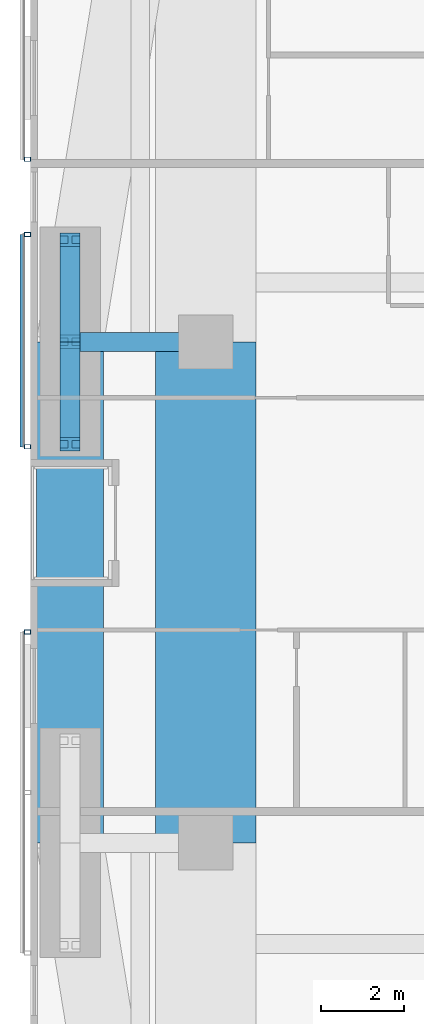
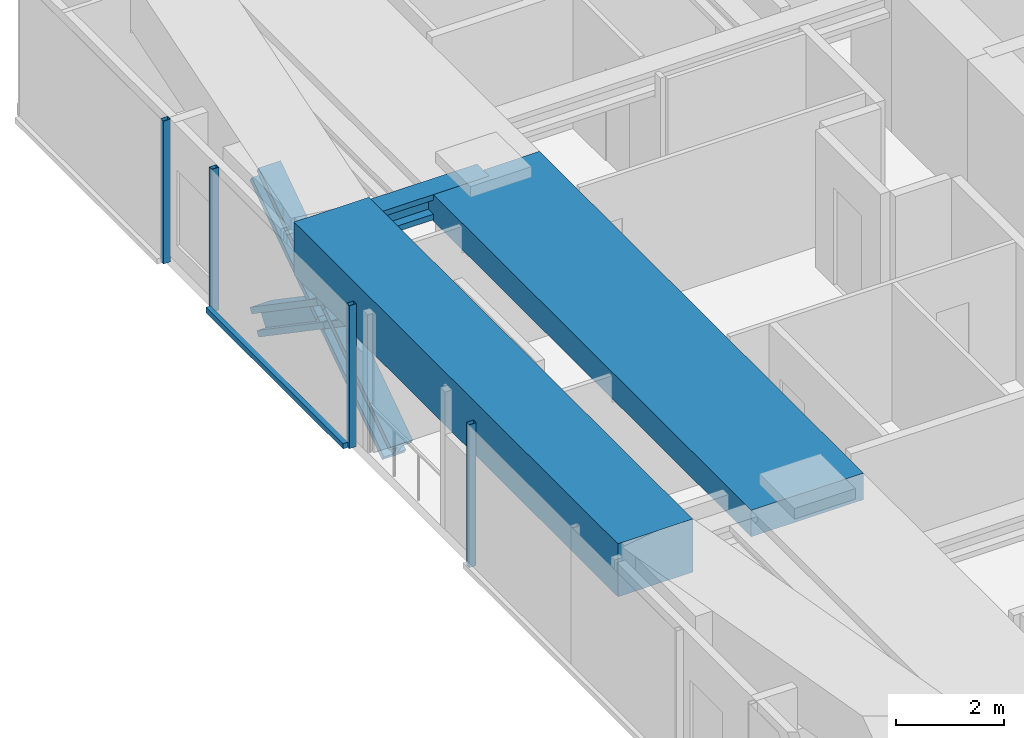
# One storey, part 7 of 25: 9 members, 3 beams, 3 elements without a shape of their own.
"""IFC4 building model written with IfcOpenShell, lengths in metres."""

from ifc_helpers import new_model, si_unit, direction, frame, origin, origin_2d, place, context, subcontext, project, spatial, rectangle, hollow_rectangle, i_section, extrude, material, material_profile, profile_set, type_object, element, aggregate, save


model = new_model("IFC4")

# Units and contexts
model_context = context("Model", 3, precision=1e-05, world=origin(), true_north=direction((0.0, 1.0)))
body_context = subcontext(model_context, "Body", "Model", "MODEL_VIEW")
ifc_project = project(units=[si_unit("LENGTHUNIT", "METRE"), si_unit("AREAUNIT", "SQUARE_METRE"), si_unit("VOLUMEUNIT", "CUBIC_METRE"), si_unit("PLANEANGLEUNIT", "RADIAN"), si_unit("MASSUNIT", "GRAM", prefix="KILO")], contexts=[model_context])

# Site, building, storey
site_placement = place(None, origin())
site = spatial("IfcSite", under=ifc_project, at=site_placement, CompositionType="ELEMENT")
building_placement = place(site_placement, origin())
building = spatial("IfcBuilding", under=site, at=building_placement, Name="Jalousie Tower", CompositionType="ELEMENT")
storey_placement = place(building_placement, frame((0.0, 0.0, 94.800048828125)))
storey = spatial("IfcBuildingStorey", under=building, at=storey_placement, Name="L25", CompositionType="ELEMENT", Elevation=94.800048828125)

# Beam
ifc_material_1 = material(Name="Steel ASTM A992 Grade 50", Category="steel")
ifc_material_profile_1 = material_profile(ifc_material_1, i_section(OverallWidth=0.45458984375, OverallDepth=0.569091796875, WebThickness=0.077880859375, FlangeThickness=0.124755859375, at=origin_2d()), Name="W14X730")
ifc_profile_set_1 = profile_set([ifc_material_profile_1], Name="Steel ASTM A992 Grade 50")
beam_type_1 = type_object("IfcBeamType", Name="LEAN COLLECTOR W14X730", PredefinedType="BEAM", material=ifc_profile_set_1)
beam_1_placement = place(storey_placement, frame((6.949951171875, 25.0, 2.825439453125), z_axis=(1.0, 0.0, 0.0), x_axis=(0.0, 1.0, 0.0)))
element("IfcBeam", 1, at=beam_1_placement, inside=storey, type_object=beam_type_1, Name="Lean collector under L26", PredefinedType="BEAM", context=body_context, shape_type="SweptSolid", body=[
    extrude(i_section(OverallWidth=0.45458984375, OverallDepth=0.569091796875, WebThickness=0.077880859375, FlangeThickness=0.124755859375, at=origin_2d()), origin(), (0.0, 0.0, 1.0), 3.25),
])

# Members
ifc_material_2 = material(Name="Steel ASTM A992 Grade 50", Category="steel")
ifc_material_profile_2 = material_profile(ifc_material_2, i_section(OverallWidth=0.472412109375, OverallDepth=0.5791015625, WebThickness=0.094970703125, FlangeThickness=0.1298828125, at=origin_2d()), Name="W14X808")
ifc_profile_set_2 = profile_set([ifc_material_profile_2], Name="Steel ASTM A992 Grade 50")
member_type_1 = type_object("IfcMemberType", Name="PERIMETER BRACE W14X808", PredefinedType="BRACE", material=ifc_profile_set_2)
for number, where, z_axis, x_axis, name in (
    (2, (6.949951171875, 22.550048828125, -0.60009765625), (0.0, 0.825500916831, 0.564400776321), (-1.0, 0.0, 0.0), "Perimeter brace 13 L25 part 1"),
    (3, (6.949951171875, 25.0, 1.074951171875), (0.0, 0.825500916831, 0.564400776321), (-1.0, 0.0, 0.0), "Perimeter brace 13 L25 part 2"),
    (4, (6.949951171875, 27.449951171875, -0.60009765625), (0.0, -0.825500916831, 0.564400776321), (1.0, 0.0, 0.0), "Perimeter brace 13 L25 part 3"),
    (5, (6.949951171875, 25.0, 1.074951171875), (0.0, -0.825500916831, 0.564400776321), (1.0, 0.0, 0.0), "Perimeter brace 13 L25 part 4"),
):
    element("IfcMember", number, at=place(storey_placement, frame(where, z_axis=z_axis, x_axis=x_axis)), inside=storey, type_object=member_type_1, Name=name, PredefinedType="BRACE", context=body_context, shape_type="SweptSolid", body=[
        extrude(i_section(OverallWidth=0.472412109375, OverallDepth=0.5791015625, WebThickness=0.094970703125, FlangeThickness=0.1298828125, at=origin_2d()), origin(), (0.0, 0.0, 1.0), 2.9677734375),
    ])

# Beams
ifc_material_3 = material(Name="Concrete f'c 40 MPa", Category="concrete")
ifc_material_profile_3 = material_profile(ifc_material_3, rectangle(XDim=1.60009765625, YDim=1.199951171875, at=origin_2d()), Name="RC 1600x1200")
ifc_profile_set_3 = profile_set([ifc_material_profile_3], Name="Concrete f'c 40 MPa")
beam_type_2 = type_object("IfcBeamType", Name="RC BEAM 1600x1200", PredefinedType="BEAM", material=ifc_profile_set_3)
beam_2_placement = place(storey_placement, frame((6.949951171875, 25.0, 2.75), z_axis=(0.0, -1.0, 0.0), x_axis=(1.0, 0.0, 0.0)))
element("IfcBeam", 6, at=beam_2_placement, inside=storey, type_object=beam_type_2, Name="Edge band beam 13-14 under L26", PredefinedType="BEAM", context=body_context, shape_type="SweptSolid", body=[
    extrude(rectangle(XDim=1.60009765625, YDim=1.199951171875, at=origin_2d()), origin(), (0.0, 0.0, 1.0), 12.0),
])
ifc_material_4 = material(Name="Concrete f'c 40 MPa", Category="concrete")
ifc_material_profile_4 = material_profile(ifc_material_4, rectangle(XDim=2.39990234375, YDim=0.60009765625, at=origin_2d()), Name="RC 2400x600")
ifc_profile_set_4 = profile_set([ifc_material_profile_4], Name="Concrete f'c 40 MPa")
beam_type_3 = type_object("IfcBeamType", Name="RC BEAM 2400x600", PredefinedType="BEAM", material=ifc_profile_set_4)
beam_3_placement = place(storey_placement, frame((10.199951171875, 13.0, 2.81005859375), z_axis=(0.0, 1.0, 0.0), x_axis=(-1.0, 0.0, 0.0)))
element("IfcBeam", 7, at=beam_3_placement, inside=storey, type_object=beam_type_3, Name="Floor band beam under L26", PredefinedType="BEAM", context=body_context, shape_type="SweptSolid", body=[
    extrude(rectangle(XDim=2.39990234375, YDim=0.60009765625, at=origin_2d()), origin(), (0.0, 0.0, 1.0), 12.0),
])

# Curtain wall, member
ifc_material_5 = material(Name="Perforated aluminium sheet", Category="aluminium")
curtain_wall_type = type_object("IfcCurtainWallType", Name="SOLAR SCREEN SS-1", PredefinedType="USERDEFINED", material=ifc_material_5)
curtain_wall_1_placement = place(storey_placement, origin())
curtain_wall_1 = element("IfcCurtainWall", 8, at=curtain_wall_1_placement, inside=storey, type_object=curtain_wall_type, Name="Solar screen L25", ObjectType="SOLAR SCREEN SS-1", PredefinedType="USERDEFINED")
ifc_material_6 = material(Name="Steel ASTM A500 Grade C", Category="steel")
ifc_material_profile_5 = material_profile(ifc_material_6, hollow_rectangle(XDim=0.1015625, YDim=0.15234375, WallThickness=0.00634765625, at=origin_2d()), Name="HSS6X4X1/4")
ifc_profile_set_5 = profile_set([ifc_material_profile_5], Name="Steel ASTM A500 Grade C")
member_type_2 = type_object("IfcMemberType", Name="SOLAR SCREEN SS-1 MULLION", PredefinedType="MULLION", material=ifc_profile_set_5)
member_1_placement = place(storey_placement, frame((5.9287109375, 29.375, -0.1201171875), z_axis=(0.0, 0.0, 1.0), x_axis=(0.0, -1.0, 0.0)))
member_1 = element("IfcMember", 9, at=member_1_placement, type_object=member_type_2, Name="SS1 post 2", PredefinedType="MULLION", context=body_context, shape_type="SweptSolid", body=[
    extrude(hollow_rectangle(XDim=0.1015625, YDim=0.15234375, WallThickness=0.00634765625, at=origin_2d()), origin(), (0.0, 0.0, 1.0), 3.22998046875),
])
aggregate(curtain_wall_1, [member_1])

# Curtain wall, members
curtain_wall_2_placement = place(storey_placement, origin())
curtain_wall_2 = element("IfcCurtainWall", 10, at=curtain_wall_2_placement, inside=storey, type_object=curtain_wall_type, Name="Solar screen L25", ObjectType="SOLAR SCREEN SS-1", PredefinedType="USERDEFINED")
member_2_placement = place(storey_placement, frame((5.9287109375, 27.574951171875, -0.1201171875), z_axis=(0.0, 0.0, 1.0), x_axis=(0.0, -1.0, 0.0)))
member_2 = element("IfcMember", 11, at=member_2_placement, type_object=member_type_2, Name="SS1 post 1", PredefinedType="MULLION", context=body_context, shape_type="SweptSolid", body=[
    extrude(hollow_rectangle(XDim=0.1015625, YDim=0.15234375, WallThickness=0.00634765625, at=origin_2d()), origin(), (0.0, 0.0, 1.0), 3.22998046875),
])
member_3_placement = place(storey_placement, frame((5.9287109375, 22.487548828125, -0.1201171875), z_axis=(0.0, 0.0, 1.0), x_axis=(0.0, -1.0, 0.0)))
member_3 = element("IfcMember", 12, at=member_3_placement, type_object=member_type_2, Name="SS1 post 2", PredefinedType="MULLION", context=body_context, shape_type="SweptSolid", body=[
    extrude(hollow_rectangle(XDim=0.1015625, YDim=0.15234375, WallThickness=0.00634765625, at=origin_2d()), origin(), (0.0, 0.0, 1.0), 3.22998046875),
])

# Curtain wall, member
curtain_wall_3_placement = place(storey_placement, origin())
curtain_wall_3 = element("IfcCurtainWall", 13, at=curtain_wall_3_placement, inside=storey, type_object=curtain_wall_type, Name="Solar screen L25", ObjectType="SOLAR SCREEN SS-1", PredefinedType="USERDEFINED")
member_4_placement = place(storey_placement, frame((5.9287109375, 18.050048828125, -0.1201171875), z_axis=(0.0, 0.0, 1.0), x_axis=(0.0, -1.0, 0.0)))
member_4 = element("IfcMember", 14, at=member_4_placement, type_object=member_type_2, Name="SS1 post 1", PredefinedType="MULLION", context=body_context, shape_type="SweptSolid", body=[
    extrude(hollow_rectangle(XDim=0.1015625, YDim=0.15234375, WallThickness=0.00634765625, at=origin_2d()), origin(), (0.0, 0.0, 1.0), 3.22998046875),
])
aggregate(curtain_wall_3, [member_4])

# Member
ifc_material_7 = material(Name="Extruded aluminium screen rail", Category="aluminium")
ifc_material_profile_6 = material_profile(ifc_material_7, rectangle(XDim=0.1015625, YDim=0.1201171875, at=origin_2d()), Name="RAIL 102x120")
ifc_profile_set_6 = profile_set([ifc_material_profile_6], Name="Extruded aluminium screen rail")
member_type_3 = type_object("IfcMemberType", Name="SOLAR SCREEN SS-1 TRANSOM", PredefinedType="USERDEFINED", material=ifc_profile_set_6)
member_5_placement = place(storey_placement, frame((5.8017578125, 27.574951171875, -0.06005859375), z_axis=(0.0, -1.0, 0.0), x_axis=(1.0, 0.0, 0.0)))
member_5 = element("IfcMember", 15, at=member_5_placement, type_object=member_type_3, Name="SS1 rail", ObjectType="TRANSOM", PredefinedType="USERDEFINED", context=body_context, shape_type="SweptSolid", body=[
    extrude(rectangle(XDim=0.1015625, YDim=0.1201171875, at=origin_2d()), origin(), (0.0, 0.0, 1.0), 5.08740234375),
])

aggregate(curtain_wall_2, [member_2, member_3, member_5])

save(model, "model.ifc")
